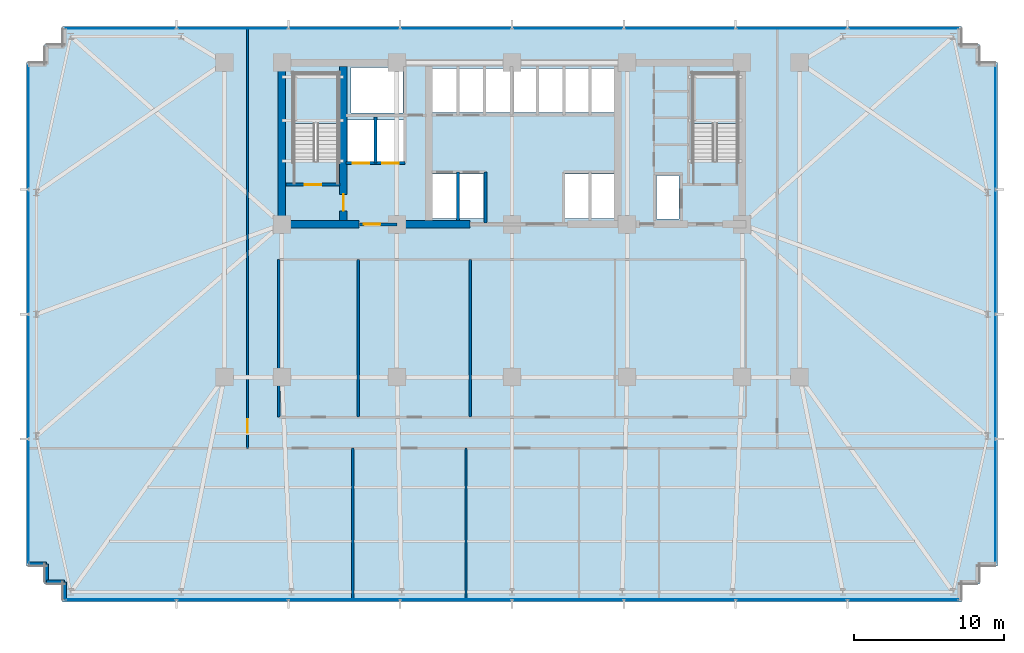
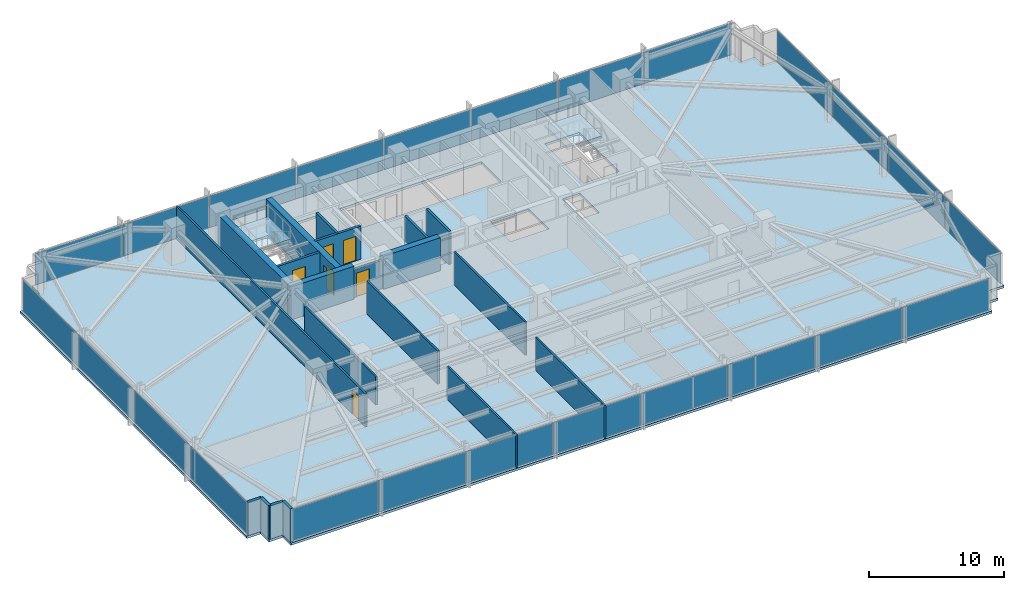
# One storey, part 24 of 32: 24 plates, 20 walls, 6 doors, 3 slabs, 6 openings, 6 elements without a shape of their own.
"""IFC4 building model written with IfcOpenShell, lengths in metres."""

from ifc_helpers import new_model, si_unit, direction, frame, frame_2d, origin, origin_2d, place, context, subcontext, project, spatial, polyline, rectangle, outline, extrude, material, layer, layer_set, type_object, element, fill, aggregate, save


model = new_model("IFC4")

# Units and contexts
model_context = context("Model", 3, precision=1e-05, world=origin(), true_north=direction((0.0, 1.0)))
body_context = subcontext(model_context, "Body", "Model", "MODEL_VIEW")
ifc_project = project(units=[si_unit("LENGTHUNIT", "METRE"), si_unit("AREAUNIT", "SQUARE_METRE"), si_unit("VOLUMEUNIT", "CUBIC_METRE"), si_unit("PLANEANGLEUNIT", "RADIAN"), si_unit("MASSUNIT", "GRAM", prefix="KILO")], contexts=[model_context])

# Site, building, storey
site_placement = place(None, origin())
site = spatial("IfcSite", under=ifc_project, at=site_placement, CompositionType="ELEMENT")
building_placement = place(site_placement, origin())
building = spatial("IfcBuilding", under=site, at=building_placement, Name="Yelkora Congress Tower", CompositionType="ELEMENT")
storey_placement = place(building_placement, frame((0.0, 0.0, 74.60009765625)))
storey = spatial("IfcBuildingStorey", under=building, at=storey_placement, Name="L19", CompositionType="ELEMENT", Elevation=74.60009765625)

# Curtain wall, plates
ifc_material_1 = material(Name="Anodised aluminium and insulated glass", Category="aluminium")
curtain_wall_type = type_object("IfcCurtainWallType", Name="CW-SYS-B1", PredefinedType="NOTDEFINED", material=ifc_material_1)
curtain_wall_1_placement = place(storey_placement, origin())
curtain_wall_1 = element("IfcCurtainWall", 1, at=curtain_wall_1_placement, inside=storey, type_object=curtain_wall_type, Name="L19 Unitised Curtain Wall 5", PredefinedType="NOTDEFINED")
ifc_material_2 = material(Name="Solar-control low-E glass unit B1", Category="glass")
ifc_layer_1 = layer(ifc_material_2, 0.0400390625)
ifc_layer_set_1 = layer_set([ifc_layer_1], Name="Solar-control low-E glass unit B1")
plate_type = type_object("IfcPlateType", Name="PLT-PN-B1", PredefinedType="CURTAIN_PANEL", material=ifc_layer_set_1)
plate_1_placement = place(storey_placement, frame((6.139892578125, 16.923828125, 0.06494140625), z_axis=(0.0, 0.0, 1.0), x_axis=(0.0, 1.0, 0.0)))
plate_1 = element("IfcPlate", 2, at=plate_1_placement, type_object=plate_type, Name="CW-B1 panel 1.1", PredefinedType="CURTAIN_PANEL", context=body_context, shape_type="SweptSolid", body=[
    extrude(rectangle(XDim=8.217529296875, YDim=0.0400390625, at=origin_2d()), origin(), (0.0, 0.0, 1.0), 2.85009765625),
])
plate_2_placement = place(storey_placement, frame((6.139892578125, 25.235107421875, 0.06494140625), z_axis=(0.0, 0.0, 1.0), x_axis=(0.0, 1.0, 0.0)))
plate_2 = element("IfcPlate", 3, at=plate_2_placement, type_object=plate_type, Name="CW-B1 panel 2.1", PredefinedType="CURTAIN_PANEL", context=body_context, shape_type="SweptSolid", body=[
    extrude(rectangle(XDim=8.2548828125, YDim=0.0400390625, at=origin_2d()), origin(), (0.0, 0.0, 1.0), 2.85009765625),
])
plate_3_placement = place(storey_placement, frame((6.139892578125, 33.56494140625, 0.06494140625), z_axis=(0.0, 0.0, 1.0), x_axis=(0.0, 1.0, 0.0)))
plate_3 = element("IfcPlate", 4, at=plate_3_placement, type_object=plate_type, Name="CW-B1 panel 3.1", PredefinedType="CURTAIN_PANEL", context=body_context, shape_type="SweptSolid", body=[
    extrude(rectangle(XDim=8.2548828125, YDim=0.0400390625, at=origin_2d()), origin(), (0.0, 0.0, 1.0), 2.85009765625),
])
plate_4_placement = place(storey_placement, frame((6.139892578125, 41.876220703125, 0.06494140625), z_axis=(0.0, 0.0, 1.0), x_axis=(0.0, 1.0, 0.0)))
plate_4 = element("IfcPlate", 5, at=plate_4_placement, type_object=plate_type, Name="CW-B1 panel 4.1", PredefinedType="CURTAIN_PANEL", context=body_context, shape_type="SweptSolid", body=[
    extrude(rectangle(XDim=8.217529296875, YDim=0.0400390625, at=origin_2d()), origin(), (0.0, 0.0, 1.0), 2.85009765625),
])
aggregate(curtain_wall_1, [plate_1, plate_2, plate_3, plate_4])

curtain_wall_2_placement = place(storey_placement, origin())
curtain_wall_2 = element("IfcCurtainWall", 6, at=curtain_wall_2_placement, inside=storey, type_object=curtain_wall_type, Name="L19 Unitised Curtain Wall 10", PredefinedType="NOTDEFINED")
plate_5_placement = place(storey_placement, frame((12.291259765625, 48.4599609375, 0.06494140625), z_axis=(0.0, 0.0, 1.0), x_axis=(1.0, 0.0, 0.0)))
plate_5 = element("IfcPlate", 7, at=plate_5_placement, type_object=plate_type, Name="CW-B1 panel 1.1", PredefinedType="CURTAIN_PANEL", context=body_context, shape_type="SweptSolid", body=[
    extrude(rectangle(XDim=7.3525390625, YDim=0.0400390625, at=origin_2d()), origin(), (0.0, 0.0, 1.0), 2.85009765625),
])
plate_6_placement = place(storey_placement, frame((19.737548828125, 48.4599609375, 0.06494140625), z_axis=(0.0, 0.0, 1.0), x_axis=(1.0, 0.0, 0.0)))
plate_6 = element("IfcPlate", 8, at=plate_6_placement, type_object=plate_type, Name="CW-B1 panel 2.1", PredefinedType="CURTAIN_PANEL", context=body_context, shape_type="SweptSolid", body=[
    extrude(rectangle(XDim=7.389892578125, YDim=0.0400390625, at=origin_2d()), origin(), (0.0, 0.0, 1.0), 2.85009765625),
])
plate_7_placement = place(storey_placement, frame((27.202392578125, 48.4599609375, 0.06494140625), z_axis=(0.0, 0.0, 1.0), x_axis=(1.0, 0.0, 0.0)))
plate_7 = element("IfcPlate", 9, at=plate_7_placement, type_object=plate_type, Name="CW-B1 panel 3.1", PredefinedType="CURTAIN_PANEL", context=body_context, shape_type="SweptSolid", body=[
    extrude(rectangle(XDim=7.389892578125, YDim=0.0400390625, at=origin_2d()), origin(), (0.0, 0.0, 1.0), 2.85009765625),
])
plate_8_placement = place(storey_placement, frame((34.66748046875, 48.4599609375, 0.06494140625), z_axis=(0.0, 0.0, 1.0), x_axis=(1.0, 0.0, 0.0)))
plate_8 = element("IfcPlate", 10, at=plate_8_placement, type_object=plate_type, Name="CW-B1 panel 4.1", PredefinedType="CURTAIN_PANEL", context=body_context, shape_type="SweptSolid", body=[
    extrude(rectangle(XDim=7.389892578125, YDim=0.0400390625, at=origin_2d()), origin(), (0.0, 0.0, 1.0), 2.85009765625),
])
plate_9_placement = place(storey_placement, frame((42.132568359375, 48.4599609375, 0.06494140625), z_axis=(0.0, 0.0, 1.0), x_axis=(1.0, 0.0, 0.0)))
plate_9 = element("IfcPlate", 11, at=plate_9_placement, type_object=plate_type, Name="CW-B1 panel 5.1", PredefinedType="CURTAIN_PANEL", context=body_context, shape_type="SweptSolid", body=[
    extrude(rectangle(XDim=7.389892578125, YDim=0.0400390625, at=origin_2d()), origin(), (0.0, 0.0, 1.0), 2.85009765625),
])
plate_10_placement = place(storey_placement, frame((49.597412109375, 48.4599609375, 0.06494140625), z_axis=(0.0, 0.0, 1.0), x_axis=(1.0, 0.0, 0.0)))
plate_10 = element("IfcPlate", 12, at=plate_10_placement, type_object=plate_type, Name="CW-B1 panel 6.1", PredefinedType="CURTAIN_PANEL", context=body_context, shape_type="SweptSolid", body=[
    extrude(rectangle(XDim=7.389892578125, YDim=0.0400390625, at=origin_2d()), origin(), (0.0, 0.0, 1.0), 2.85009765625),
])
plate_11_placement = place(storey_placement, frame((57.0625, 48.4599609375, 0.06494140625), z_axis=(0.0, 0.0, 1.0), x_axis=(1.0, 0.0, 0.0)))
plate_11 = element("IfcPlate", 13, at=plate_11_placement, type_object=plate_type, Name="CW-B1 panel 7.1", PredefinedType="CURTAIN_PANEL", context=body_context, shape_type="SweptSolid", body=[
    extrude(rectangle(XDim=7.389892578125, YDim=0.0400390625, at=origin_2d()), origin(), (0.0, 0.0, 1.0), 2.85009765625),
])
plate_12_placement = place(storey_placement, frame((64.5087890625, 48.4599609375, 0.06494140625), z_axis=(0.0, 0.0, 1.0), x_axis=(1.0, 0.0, 0.0)))
plate_12 = element("IfcPlate", 14, at=plate_12_placement, type_object=plate_type, Name="CW-B1 panel 8.1", PredefinedType="CURTAIN_PANEL", context=body_context, shape_type="SweptSolid", body=[
    extrude(rectangle(XDim=7.3525390625, YDim=0.0400390625, at=origin_2d()), origin(), (0.0, 0.0, 1.0), 2.85009765625),
])
aggregate(curtain_wall_2, [plate_5, plate_6, plate_7, plate_8, plate_9, plate_10, plate_11, plate_12])

curtain_wall_3_placement = place(storey_placement, origin())
curtain_wall_3 = element("IfcCurtainWall", 15, at=curtain_wall_3_placement, inside=storey, type_object=curtain_wall_type, Name="L19 Unitised Curtain Wall 15", PredefinedType="NOTDEFINED")
plate_13_placement = place(storey_placement, frame((70.659912109375, 41.876220703125, 0.06494140625), z_axis=(0.0, 0.0, 1.0), x_axis=(0.0, -1.0, 0.0)))
plate_13 = element("IfcPlate", 16, at=plate_13_placement, type_object=plate_type, Name="CW-B1 panel 1.1", PredefinedType="CURTAIN_PANEL", context=body_context, shape_type="SweptSolid", body=[
    extrude(rectangle(XDim=8.217529296875, YDim=0.0400390625, at=origin_2d()), origin(), (0.0, 0.0, 1.0), 2.85009765625),
])
plate_14_placement = place(storey_placement, frame((70.659912109375, 33.56494140625, 0.06494140625), z_axis=(0.0, 0.0, 1.0), x_axis=(0.0, -1.0, 0.0)))
plate_14 = element("IfcPlate", 17, at=plate_14_placement, type_object=plate_type, Name="CW-B1 panel 2.1", PredefinedType="CURTAIN_PANEL", context=body_context, shape_type="SweptSolid", body=[
    extrude(rectangle(XDim=8.2548828125, YDim=0.0400390625, at=origin_2d()), origin(), (0.0, 0.0, 1.0), 2.85009765625),
])
plate_15_placement = place(storey_placement, frame((70.659912109375, 25.235107421875, 0.06494140625), z_axis=(0.0, 0.0, 1.0), x_axis=(0.0, -1.0, 0.0)))
plate_15 = element("IfcPlate", 18, at=plate_15_placement, type_object=plate_type, Name="CW-B1 panel 3.1", PredefinedType="CURTAIN_PANEL", context=body_context, shape_type="SweptSolid", body=[
    extrude(rectangle(XDim=8.2548828125, YDim=0.0400390625, at=origin_2d()), origin(), (0.0, 0.0, 1.0), 2.85009765625),
])
plate_16_placement = place(storey_placement, frame((70.659912109375, 16.923828125, 0.06494140625), z_axis=(0.0, 0.0, 1.0), x_axis=(0.0, -1.0, 0.0)))
plate_16 = element("IfcPlate", 19, at=plate_16_placement, type_object=plate_type, Name="CW-B1 panel 4.1", PredefinedType="CURTAIN_PANEL", context=body_context, shape_type="SweptSolid", body=[
    extrude(rectangle(XDim=8.217529296875, YDim=0.0400390625, at=origin_2d()), origin(), (0.0, 0.0, 1.0), 2.85009765625),
])
aggregate(curtain_wall_3, [plate_13, plate_14, plate_15, plate_16])

curtain_wall_4_placement = place(storey_placement, origin())
curtain_wall_4 = element("IfcCurtainWall", 20, at=curtain_wall_4_placement, inside=storey, type_object=curtain_wall_type, Name="L19 Unitised Curtain Wall 20", PredefinedType="NOTDEFINED")
plate_17_placement = place(storey_placement, frame((64.5087890625, 10.340087890625, 0.06494140625), z_axis=(0.0, 0.0, 1.0), x_axis=(-1.0, 0.0, 0.0)))
plate_17 = element("IfcPlate", 21, at=plate_17_placement, type_object=plate_type, Name="CW-B1 panel 1.1", PredefinedType="CURTAIN_PANEL", context=body_context, shape_type="SweptSolid", body=[
    extrude(rectangle(XDim=7.3525390625, YDim=0.0400390625, at=origin_2d()), origin(), (0.0, 0.0, 1.0), 2.85009765625),
])
plate_18_placement = place(storey_placement, frame((57.0625, 10.340087890625, 0.06494140625), z_axis=(0.0, 0.0, 1.0), x_axis=(-1.0, 0.0, 0.0)))
plate_18 = element("IfcPlate", 22, at=plate_18_placement, type_object=plate_type, Name="CW-B1 panel 2.1", PredefinedType="CURTAIN_PANEL", context=body_context, shape_type="SweptSolid", body=[
    extrude(rectangle(XDim=7.389892578125, YDim=0.0400390625, at=origin_2d()), origin(), (0.0, 0.0, 1.0), 2.85009765625),
])
plate_19_placement = place(storey_placement, frame((49.597412109375, 10.340087890625, 0.06494140625), z_axis=(0.0, 0.0, 1.0), x_axis=(-1.0, 0.0, 0.0)))
plate_19 = element("IfcPlate", 23, at=plate_19_placement, type_object=plate_type, Name="CW-B1 panel 3.1", PredefinedType="CURTAIN_PANEL", context=body_context, shape_type="SweptSolid", body=[
    extrude(rectangle(XDim=7.389892578125, YDim=0.0400390625, at=origin_2d()), origin(), (0.0, 0.0, 1.0), 2.85009765625),
])
plate_20_placement = place(storey_placement, frame((42.132568359375, 10.340087890625, 0.06494140625), z_axis=(0.0, 0.0, 1.0), x_axis=(-1.0, 0.0, 0.0)))
plate_20 = element("IfcPlate", 24, at=plate_20_placement, type_object=plate_type, Name="CW-B1 panel 4.1", PredefinedType="CURTAIN_PANEL", context=body_context, shape_type="SweptSolid", body=[
    extrude(rectangle(XDim=7.389892578125, YDim=0.0400390625, at=origin_2d()), origin(), (0.0, 0.0, 1.0), 2.85009765625),
])
plate_21_placement = place(storey_placement, frame((34.66748046875, 10.340087890625, 0.06494140625), z_axis=(0.0, 0.0, 1.0), x_axis=(-1.0, 0.0, 0.0)))
plate_21 = element("IfcPlate", 25, at=plate_21_placement, type_object=plate_type, Name="CW-B1 panel 5.1", PredefinedType="CURTAIN_PANEL", context=body_context, shape_type="SweptSolid", body=[
    extrude(rectangle(XDim=7.389892578125, YDim=0.0400390625, at=origin_2d()), origin(), (0.0, 0.0, 1.0), 2.85009765625),
])
plate_22_placement = place(storey_placement, frame((27.202392578125, 10.340087890625, 0.06494140625), z_axis=(0.0, 0.0, 1.0), x_axis=(-1.0, 0.0, 0.0)))
plate_22 = element("IfcPlate", 26, at=plate_22_placement, type_object=plate_type, Name="CW-B1 panel 6.1", PredefinedType="CURTAIN_PANEL", context=body_context, shape_type="SweptSolid", body=[
    extrude(rectangle(XDim=7.389892578125, YDim=0.0400390625, at=origin_2d()), origin(), (0.0, 0.0, 1.0), 2.85009765625),
])
plate_23_placement = place(storey_placement, frame((19.737548828125, 10.340087890625, 0.06494140625), z_axis=(0.0, 0.0, 1.0), x_axis=(-1.0, 0.0, 0.0)))
plate_23 = element("IfcPlate", 27, at=plate_23_placement, type_object=plate_type, Name="CW-B1 panel 7.1", PredefinedType="CURTAIN_PANEL", context=body_context, shape_type="SweptSolid", body=[
    extrude(rectangle(XDim=7.389892578125, YDim=0.0400390625, at=origin_2d()), origin(), (0.0, 0.0, 1.0), 2.85009765625),
])
plate_24_placement = place(storey_placement, frame((12.291259765625, 10.340087890625, 0.06494140625), z_axis=(0.0, 0.0, 1.0), x_axis=(-1.0, 0.0, 0.0)))
plate_24 = element("IfcPlate", 28, at=plate_24_placement, type_object=plate_type, Name="CW-B1 panel 8.1", PredefinedType="CURTAIN_PANEL", context=body_context, shape_type="SweptSolid", body=[
    extrude(rectangle(XDim=7.3525390625, YDim=0.0400390625, at=origin_2d()), origin(), (0.0, 0.0, 1.0), 2.85009765625),
])
aggregate(curtain_wall_4, [plate_17, plate_18, plate_19, plate_20, plate_21, plate_22, plate_23, plate_24])

# Stair, slab
ifc_material_3 = material(Name="Concrete C40/50", Category="concrete")
stair_type = type_object("IfcStairType", Name="STAIR-HT-1420-R20-170", PredefinedType="HALF_TURN_STAIR", material=ifc_material_3)
stair_1_placement = place(storey_placement, origin())
stair_1 = element("IfcStair", 29, at=stair_1_placement, inside=storey, type_object=stair_type, Name="West Core Protected Exit Stair ST-01 (L19)", PredefinedType="HALF_TURN_STAIR")
ifc_layer_2 = layer(ifc_material_3, 0.219970703125)
ifc_layer_set_2 = layer_set([ifc_layer_2], Name="Concrete C40/50")
slab_type_1 = type_object("IfcSlabType", Name="SLAB-LANDING-220", PredefinedType="LANDING", material=ifc_layer_set_2)
slab_1_placement = place(storey_placement, frame((0.0, 0.0, 1.47998046875)))
slab_1 = element("IfcSlab", 30, at=slab_1_placement, type_object=slab_type_1, Name="ST-01 L19 Half Landing 1", PredefinedType="LANDING", context=body_context, shape_type="SweptSolid", body=[
    extrude(outline(polyline([(26.820068359375, 42.1201171875), (26.820068359375, 45.469970703125), (23.820068359375, 45.469970703125), (23.820068359375, 42.1201171875), (26.820068359375, 42.1201171875)])), origin(), (0.0, 0.0, 1.0), 0.219970703125),
])
aggregate(stair_1, [slab_1])

stair_2_placement = place(storey_placement, origin())
stair_2 = element("IfcStair", 31, at=stair_2_placement, inside=storey, type_object=stair_type, Name="East Core Protected Exit Stair ST-02 (L19)", PredefinedType="HALF_TURN_STAIR")
slab_2_placement = place(storey_placement, frame((0.0, 0.0, 1.47998046875)))
slab_2 = element("IfcSlab", 32, at=slab_2_placement, type_object=slab_type_1, Name="ST-02 L19 Half Landing 1", PredefinedType="LANDING", context=body_context, shape_type="SweptSolid", body=[
    extrude(outline(polyline([(53.4599609375, 42.1201171875), (53.4599609375, 45.469970703125), (50.4599609375, 45.469970703125), (50.4599609375, 42.1201171875), (53.4599609375, 42.1201171875)])), origin(), (0.0, 0.0, 1.0), 0.219970703125),
])
aggregate(stair_2, [slab_2])

# Slab
ifc_layer_3 = layer(ifc_material_3, 0.219970703125)
ifc_layer_set_3 = layer_set([ifc_layer_3], Name="Concrete C40/50")
slab_type_2 = type_object("IfcSlabType", Name="SLAB-TWR-220", PredefinedType="FLOOR", material=ifc_layer_set_3)
slab_3_placement = place(storey_placement, frame((0.0, 0.0, -0.22021484375)))
element("IfcSlab", 33, at=slab_3_placement, inside=storey, type_object=slab_type_2, Name="L19 Structural Floor Slab", PredefinedType="FLOOR", context=body_context, shape_type="SweptSolid", body=[
    extrude(outline(polyline([(8.39990234375, 10.199951171875), (68.39990234375, 10.199951171875), (68.39990234375, 11.39990234375), (69.60009765625, 11.39990234375), (69.60009765625, 12.60009765625), (70.800048828125, 12.60009765625), (70.800048828125, 46.199951171875), (69.60009765625, 46.199951171875), (69.60009765625, 47.39990234375), (68.39990234375, 47.39990234375), (68.39990234375, 48.60009765625), (8.39990234375, 48.60009765625), (8.39990234375, 47.39990234375), (7.199951171875, 47.39990234375), (7.199951171875, 46.199951171875), (6.0, 46.199951171875), (6.0, 12.60009765625), (7.199951171875, 12.60009765625), (7.199951171875, 11.39990234375), (8.39990234375, 11.39990234375), (8.39990234375, 10.199951171875)]), holes=[polyline([(23.820068359375, 39.6298828125), (26.820068359375, 39.6298828125), (26.820068359375, 45.469970703125), (23.820068359375, 45.469970703125), (23.820068359375, 39.6298828125)]), polyline([(50.4599609375, 39.6298828125), (53.4599609375, 39.6298828125), (53.4599609375, 45.469970703125), (50.4599609375, 45.469970703125), (50.4599609375, 39.6298828125)]), polyline([(48.050048828125, 35.75), (49.550048828125, 35.75), (49.550048828125, 38.64990234375), (48.050048828125, 38.64990234375), (48.050048828125, 35.75)]), polyline([(41.949951171875, 35.800048828125), (45.25, 35.800048828125), (45.25, 38.75), (41.949951171875, 38.75), (41.949951171875, 35.800048828125)]), polyline([(33.10009765625, 42.85009765625), (45.25, 42.85009765625), (45.25, 45.800048828125), (33.10009765625, 45.800048828125), (33.10009765625, 42.85009765625)]), polyline([(33.10009765625, 35.800048828125), (36.5, 35.800048828125), (36.5, 38.75), (33.10009765625, 38.75), (33.10009765625, 35.800048828125)]), polyline([(27.419921875, 39.60009765625), (31.179931640625, 39.60009765625), (31.179931640625, 42.35009765625), (27.419921875, 42.35009765625), (27.419921875, 39.60009765625)]), polyline([(27.64990234375, 42.820068359375), (31.1201171875, 42.820068359375), (31.1201171875, 45.8798828125), (27.64990234375, 45.8798828125), (27.64990234375, 42.820068359375)])]), origin(), (0.0, 0.0, 1.0), 0.22021484375),
])

# Walls
ifc_material_4 = material(Name="Concrete C60/75", Category="concrete")
ifc_layer_4 = layer(ifc_material_4, 0.5)
ifc_layer_set_4 = layer_set([ifc_layer_4], Name="Concrete C60/75")
wall_type_1 = type_object("IfcWallType", Name="WALL-CORE-INT-500", PredefinedType="SHEAR", material=ifc_layer_set_4)
wall_1_placement = place(storey_placement, frame((22.7900390625, 35.39990234375, 0.0), z_axis=(0.0, 0.0, 1.0), x_axis=(1.0, 0.0, 0.0)))
element("IfcWall", 34, at=wall_1_placement, inside=storey, type_object=wall_type_1, Name="L19 Rear Core South-West Shear Wall", PredefinedType="SHEAR", context=body_context, shape_type="SweptSolid", body=[
    extrude(rectangle(XDim=5.409912109375, YDim=0.5, at=frame_2d((2.705078125, 0.0))), origin(), (0.0, 0.0, 1.0), 2.97998046875),
])
wall_2_placement = place(storey_placement, frame((30.719970703125, 35.39990234375, 0.0), z_axis=(0.0, 0.0, 1.0), x_axis=(1.0, 0.0, 0.0)))
element("IfcWall", 35, at=wall_2_placement, inside=storey, type_object=wall_type_1, Name="L19 Rear Core South-Center Shear Pier", PredefinedType="SHEAR", context=body_context, shape_type="SweptSolid", body=[
    extrude(rectangle(XDim=4.880126953125, YDim=0.5, at=frame_2d((2.43994140625, 0.0))), origin(), (0.0, 0.0, 1.0), 2.97998046875),
])
wall_3_placement = place(storey_placement, frame((23.0400390625, 35.64990234375, 0.0), z_axis=(0.0, 0.0, 1.0), x_axis=(0.0, 1.0, 0.0)))
element("IfcWall", 36, at=wall_3_placement, inside=storey, type_object=wall_type_1, Name="L19 Rear Core Cross Shear Wall W", PredefinedType="SHEAR", context=body_context, shape_type="SweptSolid", body=[
    extrude(rectangle(XDim=10.300048828125, YDim=0.5, at=frame_2d((5.14990234375, 0.0))), origin(), (0.0, 0.0, 1.0), 2.97998046875),
])

# Wall, opening, door
wall_4_placement = place(storey_placement, frame((27.14990234375, 35.64990234375, 0.0), z_axis=(0.0, 0.0, 1.0), x_axis=(0.0, 1.0, 0.0)))
wall_4 = element("IfcWall", 37, at=wall_4_placement, inside=storey, type_object=wall_type_1, Name="L19 Rear Core Cross Shear Wall C1", PredefinedType="SHEAR", context=body_context, shape_type="SweptSolid", body=[
    extrude(rectangle(XDim=10.300048828125, YDim=0.5, at=frame_2d((5.14990234375, 0.0))), origin(), (0.0, 0.0, 1.0), 2.97998046875),
])
opening_1_placement = place(wall_4_placement, frame((0.64990234375, 0.0, 0.0)))
opening_1 = element("IfcOpeningElement", 38, at=opening_1_placement, cuts=wall_4, Name="Opening DR-110F9", PredefinedType="OPENING", context=body_context, shape_type="SweptSolid", body=[
    extrude(rectangle(XDim=1.10009765625, YDim=2.14990234375, at=frame_2d((0.550048828125, 1.074951171875))), frame((0.0, 0.260009765625, 0.0), z_axis=(0.0, -1.0, 0.0), x_axis=(1.0, 0.0, 0.0)), (0.0, 0.0, 1.0), 0.52001953125),
])
ifc_material_5 = material(Name="Galvanised steel fire door leaf", Category="steel")
door_type_1 = type_object("IfcDoorType", Name="DOOR-FD90-1100", OperationType="NOTDEFINED", PredefinedType="DOOR", material=ifc_material_5)
door_1_placement = place(opening_1_placement, origin())
door_1 = element("IfcDoor", 39, at=door_1_placement, inside=storey, type_object=door_type_1, Name="L19 Firefighting Stair Transfer Door", OperationType="SINGLE_SWING_LEFT", OverallHeight=2.14990234375, OverallWidth=1.10009765625, PredefinedType="DOOR", context=body_context, shape_type="SweptSolid", body=[
    extrude(rectangle(XDim=1.10009765625, YDim=2.14990234375, at=frame_2d((0.550048828125, 1.074951171875))), frame((0.0, 0.02490234375, 0.0), z_axis=(0.0, -1.0, 0.0), x_axis=(1.0, 0.0, 0.0)), (0.0, 0.0, 1.0), 0.050048828125),
])
fill(opening_1, door_1)

# Walls
ifc_layer_5 = layer(ifc_material_3, 0.239990234375)
ifc_layer_set_5 = layer_set([ifc_layer_5], Name="Concrete C40/50")
wall_type_2 = type_object("IfcWallType", Name="WALL-EXT-LIMESTONE-240", PredefinedType="SOLIDWALL", material=ifc_layer_set_5)
for number, where, z_axis, x_axis, name in (
    (40, (8.5400390625, 10.340087890625, 0.0), (0.0, 0.0, 1.0), (0.0, 1.0, 0.0), "L19 Serrated Corner Limestone Pier 1"),
    (41, (8.5400390625, 11.5400390625, 0.0), (0.0, 0.0, 1.0), (-1.0, 0.0, 0.0), "L19 Serrated Corner Limestone Pier 2"),
    (42, (7.340087890625, 11.5400390625, 0.0), (0.0, 0.0, 1.0), (0.0, 1.0, 0.0), "L19 Serrated Corner Limestone Pier 3"),
):
    element("IfcWall", number, at=place(storey_placement, frame(where, z_axis=z_axis, x_axis=x_axis)), inside=storey, type_object=wall_type_2, Name=name, PredefinedType="SOLIDWALL", context=body_context, shape_type="SweptSolid", body=[
        extrude(rectangle(XDim=1.199951171875, YDim=0.239990234375, at=frame_2d((0.60009765625, 0.0))), origin(), (0.0, 0.0, 1.0), 2.97998046875),
    ])
wall_5_placement = place(storey_placement, frame((7.340087890625, 12.739990234375, 0.0), z_axis=(0.0, 0.0, 1.0), x_axis=(-1.0, 0.0, 0.0)))
element("IfcWall", 43, at=wall_5_placement, inside=storey, type_object=wall_type_2, Name="L19 Serrated Corner Limestone Pier 4", PredefinedType="SOLIDWALL", context=body_context, shape_type="SweptSolid", body=[
    extrude(rectangle(XDim=1.2001953125, YDim=0.239990234375, at=frame_2d((0.60009765625, 0.0))), origin(), (0.0, 0.0, 1.0), 2.97998046875),
])
ifc_material_6 = material(Name="Acoustic metal-stud gypsum partition", Category="gypsum")
ifc_layer_6 = layer(ifc_material_6, 0.14990234375)
ifc_layer_set_6 = layer_set([ifc_layer_6], Name="Acoustic metal-stud gypsum partition")
wall_type_3 = type_object("IfcWallType", Name="WALL-INT-150-NR", PredefinedType="PARTITIONING", material=ifc_layer_set_6)
for number, where, z_axis, x_axis, name in (
    (44, (27.77587890625, 10.280029296875, 0.0), (0.0, 0.0, 1.0), (0.0, 1.0, 0.0), "L19 Partition Wall 32"),
    (45, (35.323974609375, 10.280029296875, 0.0), (0.0, 0.0, 1.0), (0.0, 1.0, 0.0), "L19 Partition Wall 33"),
):
    element("IfcWall", number, at=place(storey_placement, frame(where, z_axis=z_axis, x_axis=x_axis)), inside=storey, type_object=wall_type_3, Name=name, PredefinedType="PARTITIONING", context=body_context, shape_type="SweptSolid", body=[
        extrude(rectangle(XDim=10.18994140625, YDim=0.14990234375, at=frame_2d((5.094970703125, 0.0))), origin(), (0.0, 0.0, 1.0), 2.97998046875),
    ])

# Wall, opening, door
wall_6_placement = place(storey_placement, frame((20.75, 20.449951171875, 0.0), z_axis=(0.0, 0.0, 1.0), x_axis=(0.0, 1.0, 0.0)))
wall_6 = element("IfcWall", 46, at=wall_6_placement, inside=storey, type_object=wall_type_3, Name="L19 Partition Wall 37", PredefinedType="PARTITIONING", context=body_context, shape_type="SweptSolid", body=[
    extrude(rectangle(XDim=28.070068359375, YDim=0.14990234375, at=frame_2d((14.03515625, 0.0))), origin(), (0.0, 0.0, 1.0), 2.97998046875),
])
opening_2_placement = place(wall_6_placement, frame((1.030029296875, 0.0, 0.0)))
opening_2 = element("IfcOpeningElement", 47, at=opening_2_placement, cuts=wall_6, Name="Opening DR-090N", PredefinedType="OPENING", context=body_context, shape_type="SweptSolid", body=[
    extrude(rectangle(XDim=0.89990234375, YDim=2.14990234375, at=frame_2d((0.449951171875, 1.074951171875))), frame((0.0, 0.0849609375, 0.0), z_axis=(0.0, -1.0, 0.0), x_axis=(1.0, 0.0, 0.0)), (0.0, 0.0, 1.0), 0.169921875),
])
ifc_material_7 = material(Name="Moisture-resistant laminate door leaf", Category="wood")
door_type_2 = type_object("IfcDoorType", Name="DOOR-INT-900", OperationType="NOTDEFINED", PredefinedType="DOOR", material=ifc_material_7)
door_2_placement = place(opening_2_placement, origin())
door_2 = element("IfcDoor", 48, at=door_2_placement, inside=storey, type_object=door_type_2, Name="L19 W Wing Door", OperationType="SINGLE_SWING_LEFT", OverallHeight=2.14990234375, OverallWidth=0.89990234375, PredefinedType="DOOR", context=body_context, shape_type="SweptSolid", body=[
    extrude(rectangle(XDim=0.89990234375, YDim=2.14990234375, at=frame_2d((0.449951171875, 1.074951171875))), frame((0.0, 0.02490234375, 0.0), z_axis=(0.0, -1.0, 0.0), x_axis=(1.0, 0.0, 0.0)), (0.0, 0.0, 1.0), 0.050048828125),
])
fill(opening_2, door_2)

# Walls
wall_7_placement = place(storey_placement, frame((22.830078125, 22.530029296875, 0.0), z_axis=(0.0, 0.0, 1.0), x_axis=(0.0, 1.0, 0.0)))
element("IfcWall", 49, at=wall_7_placement, inside=storey, type_object=wall_type_3, Name="L19 Partition Wall 39", PredefinedType="PARTITIONING", context=body_context, shape_type="SweptSolid", body=[
    extrude(rectangle(XDim=10.52001953125, YDim=0.14990234375, at=frame_2d((5.260009765625, 0.0))), origin(), (0.0, 0.0, 1.0), 2.52490234375),
])
for number, where, z_axis, x_axis, name in (
    (50, (28.138916015625, 22.530029296875, 0.0), (0.0, 0.0, 1.0), (0.0, 1.0, 0.0), "L19 Partition Wall 42"),
    (51, (35.6201171875, 22.530029296875, 0.0), (0.0, 0.0, 1.0), (0.0, 1.0, 0.0), "L19 Partition Wall 43"),
):
    element("IfcWall", number, at=place(storey_placement, frame(where, z_axis=z_axis, x_axis=x_axis)), inside=storey, type_object=wall_type_3, Name=name, PredefinedType="PARTITIONING", context=body_context, shape_type="SweptSolid", body=[
        extrude(rectangle(XDim=10.52001953125, YDim=0.14990234375, at=frame_2d((5.260009765625, 0.0))), origin(), (0.0, 0.0, 1.0), 2.97998046875),
    ])

# Wall, opening, door
ifc_material_8 = material(Name="Autoclaved aerated concrete blockwork", Category="masonry")
ifc_layer_7 = layer(ifc_material_8, 0.199951171875)
ifc_layer_set_7 = layer_set([ifc_layer_7], Name="Autoclaved aerated concrete blockwork")
wall_type_4 = type_object("IfcWallType", Name="WALL-INT-200-R120", PredefinedType="PARTITIONING", material=ifc_layer_set_7)
wall_8_placement = place(storey_placement, frame((23.300048828125, 38.050048828125, 0.0), z_axis=(0.0, 0.0, 1.0), x_axis=(1.0, 0.0, 0.0)))
wall_8 = element("IfcWall", 52, at=wall_8_placement, inside=storey, type_object=wall_type_4, Name="L19 Stair ST-01 Enclosure Wall", PredefinedType="PARTITIONING", context=body_context, shape_type="SweptSolid", body=[
    extrude(rectangle(XDim=3.619873046875, YDim=0.199951171875, at=frame_2d((1.81005859375, 0.0))), origin(), (0.0, 0.0, 1.0), 2.97998046875),
])
opening_3_placement = place(wall_8_placement, frame((1.260009765625, 0.0, 0.0)))
opening_3 = element("IfcOpeningElement", 53, at=opening_3_placement, cuts=wall_8, Name="Opening DR-110F9", PredefinedType="OPENING", context=body_context, shape_type="SweptSolid", body=[
    extrude(rectangle(XDim=1.10009765625, YDim=2.14990234375, at=frame_2d((0.550048828125, 1.074951171875))), frame((0.0, 0.10986328125, 0.0), z_axis=(0.0, -1.0, 0.0), x_axis=(1.0, 0.0, 0.0)), (0.0, 0.0, 1.0), 0.219970703125),
])
door_3_placement = place(opening_3_placement, origin())
door_3 = element("IfcDoor", 54, at=door_3_placement, inside=storey, type_object=door_type_1, Name="L19 Stair ST-01 Entry Door", OperationType="SINGLE_SWING_LEFT", OverallHeight=2.14990234375, OverallWidth=1.10009765625, PredefinedType="DOOR", context=body_context, shape_type="SweptSolid", body=[
    extrude(rectangle(XDim=1.10009765625, YDim=2.14990234375, at=frame_2d((0.550048828125, 1.074951171875))), frame((0.0, 0.02490234375, 0.0), z_axis=(0.0, -1.0, 0.0), x_axis=(1.0, 0.0, 0.0)), (0.0, 0.0, 1.0), 0.050048828125),
])
fill(opening_3, door_3)

wall_9_placement = place(storey_placement, frame((28.219970703125, 35.39990234375, 0.0), z_axis=(0.0, 0.0, 1.0), x_axis=(1.0, 0.0, 0.0)))
wall_9 = element("IfcWall", 55, at=wall_9_placement, inside=storey, type_object=wall_type_4, Name="L19 Firefighting Lobby South Wall", PredefinedType="PARTITIONING", context=body_context, shape_type="SweptSolid", body=[
    extrude(rectangle(XDim=2.5, YDim=0.199951171875, at=frame_2d((1.25, 0.0))), origin(), (0.0, 0.0, 1.0), 2.52490234375),
])
opening_4_placement = place(wall_9_placement, frame((0.300048828125, 0.0, 0.0)))
opening_4 = element("IfcOpeningElement", 56, at=opening_4_placement, cuts=wall_9, Name="Opening DR-110F9", PredefinedType="OPENING", context=body_context, shape_type="SweptSolid", body=[
    extrude(rectangle(XDim=1.10009765625, YDim=2.14990234375, at=frame_2d((0.550048828125, 1.074951171875))), frame((0.0, 0.10986328125, 0.0), z_axis=(0.0, -1.0, 0.0), x_axis=(1.0, 0.0, 0.0)), (0.0, 0.0, 1.0), 0.219970703125),
])
door_4_placement = place(opening_4_placement, origin())
door_4 = element("IfcDoor", 57, at=door_4_placement, inside=storey, type_object=door_type_1, Name="L19 Firefighting Lobby Corridor Door", OperationType="SINGLE_SWING_RIGHT", OverallHeight=2.14990234375, OverallWidth=1.10009765625, PredefinedType="DOOR", context=body_context, shape_type="SweptSolid", body=[
    extrude(rectangle(XDim=1.10009765625, YDim=2.14990234375, at=frame_2d((0.550048828125, 1.074951171875))), frame((0.0, 0.02490234375, 0.0), z_axis=(0.0, -1.0, 0.0), x_axis=(1.0, 0.0, 0.0)), (0.0, 0.0, 1.0), 0.050048828125),
])
fill(opening_4, door_4)

# Wall, openings, doors
wall_10_placement = place(storey_placement, frame((27.320068359375, 39.47998046875, 0.0), z_axis=(0.0, 0.0, 1.0), x_axis=(1.0, 0.0, 0.0)))
wall_10 = element("IfcWall", 58, at=wall_10_placement, inside=storey, type_object=wall_type_4, Name="L19 Firefighting Lift Front Wall", PredefinedType="PARTITIONING", context=body_context, shape_type="SweptSolid", body=[
    extrude(rectangle(XDim=3.93994140625, YDim=0.199951171875, at=frame_2d((1.969970703125, 0.0))), origin(), (0.0, 0.0, 1.0), 2.97998046875),
])
opening_5_placement = place(wall_10_placement, frame((0.449951171875, 0.0, 0.0)))
opening_5 = element("IfcOpeningElement", 59, at=opening_5_placement, cuts=wall_10, Name="Opening LD-FF11", PredefinedType="OPENING", context=body_context, shape_type="SweptSolid", body=[
    extrude(rectangle(XDim=1.10009765625, YDim=2.199951171875, at=frame_2d((0.550048828125, 1.10009765625))), frame((0.0, 0.10986328125, 0.0), z_axis=(0.0, -1.0, 0.0), x_axis=(1.0, 0.0, 0.0)), (0.0, 0.0, 1.0), 0.219970703125),
])
opening_6_placement = place(wall_10_placement, frame((2.409912109375, 0.0, 0.0)))
opening_6 = element("IfcOpeningElement", 60, at=opening_6_placement, cuts=wall_10, Name="Opening LD-FF11", PredefinedType="OPENING", context=body_context, shape_type="SweptSolid", body=[
    extrude(rectangle(XDim=1.10009765625, YDim=2.199951171875, at=frame_2d((0.550048828125, 1.10009765625))), frame((0.0, 0.10986328125, 0.0), z_axis=(0.0, -1.0, 0.0), x_axis=(1.0, 0.0, 0.0)), (0.0, 0.0, 1.0), 0.219970703125),
])
ifc_material_9 = material(Name="Brushed stainless steel 316L landing door", Category="steel")
door_type_3 = type_object("IfcDoorType", Name="DOOR-LIFT-FF-1100", OperationType="DOUBLE_DOOR_SLIDING", PredefinedType="DOOR", material=ifc_material_9)
door_5_placement = place(opening_5_placement, origin())
door_5 = element("IfcDoor", 61, at=door_5_placement, inside=storey, type_object=door_type_3, Name="Lift Landing Door LF-FF1 L19", OperationType="DOUBLE_DOOR_SLIDING", OverallHeight=2.199951171875, OverallWidth=1.10009765625, PredefinedType="DOOR", context=body_context, shape_type="SweptSolid", body=[
    extrude(rectangle(XDim=1.10009765625, YDim=2.199951171875, at=frame_2d((0.550048828125, 1.10009765625))), frame((0.0, 0.02490234375, 0.0), z_axis=(0.0, -1.0, 0.0), x_axis=(1.0, 0.0, 0.0)), (0.0, 0.0, 1.0), 0.050048828125),
])
fill(opening_5, door_5)
door_6_placement = place(opening_6_placement, origin())
door_6 = element("IfcDoor", 62, at=door_6_placement, inside=storey, type_object=door_type_3, Name="Lift Landing Door LF-FF2 L19", OperationType="DOUBLE_DOOR_SLIDING", OverallHeight=2.199951171875, OverallWidth=1.10009765625, PredefinedType="DOOR", context=body_context, shape_type="SweptSolid", body=[
    extrude(rectangle(XDim=1.10009765625, YDim=2.199951171875, at=frame_2d((0.550048828125, 1.10009765625))), frame((0.0, 0.02490234375, 0.0), z_axis=(0.0, -1.0, 0.0), x_axis=(1.0, 0.0, 0.0)), (0.0, 0.0, 1.0), 0.050048828125),
])
fill(opening_6, door_6)

# Walls
wall_11_placement = place(storey_placement, frame((29.300048828125, 39.47998046875, 0.0), z_axis=(0.0, 0.0, 1.0), x_axis=(0.0, 1.0, 0.0)))
element("IfcWall", 63, at=wall_11_placement, inside=storey, type_object=wall_type_4, Name="L19 Partition Wall 4", PredefinedType="PARTITIONING", context=body_context, shape_type="SweptSolid", body=[
    extrude(rectangle(XDim=3.070068359375, YDim=0.199951171875, at=frame_2d((1.53515625, 0.0))), origin(), (0.0, 0.0, 1.0), 2.97998046875),
])
wall_12_placement = place(storey_placement, frame((34.800048828125, 35.64990234375, 0.0), z_axis=(0.0, 0.0, 1.0), x_axis=(0.0, 1.0, 0.0)))
element("IfcWall", 64, at=wall_12_placement, inside=storey, type_object=wall_type_4, Name="L19 Partition Wall 13", PredefinedType="PARTITIONING", context=body_context, shape_type="SweptSolid", body=[
    extrude(rectangle(XDim=3.25, YDim=0.199951171875, at=frame_2d((1.625, 0.0))), origin(), (0.0, 0.0, 1.0), 2.97998046875),
])
wall_13_placement = place(storey_placement, frame((36.6201171875, 35.5, 0.0), z_axis=(0.0, 0.0, 1.0), x_axis=(0.0, 1.0, 0.0)))
element("IfcWall", 65, at=wall_13_placement, inside=storey, type_object=wall_type_4, Name="L19 Partition Wall 15", PredefinedType="PARTITIONING", context=body_context, shape_type="SweptSolid", body=[
    extrude(rectangle(XDim=3.39990234375, YDim=0.199951171875, at=frame_2d((1.699951171875, 0.0))), origin(), (0.0, 0.0, 1.0), 2.97998046875),
])

save(model, "model.ifc")
